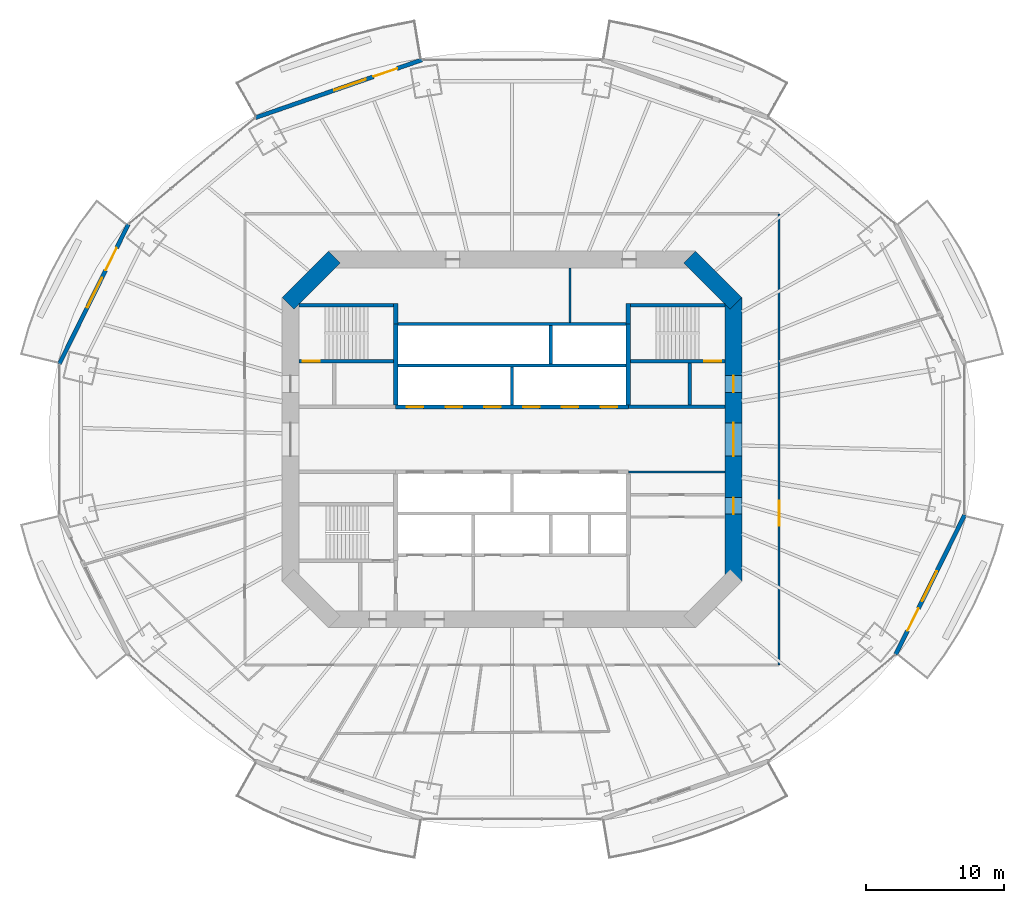
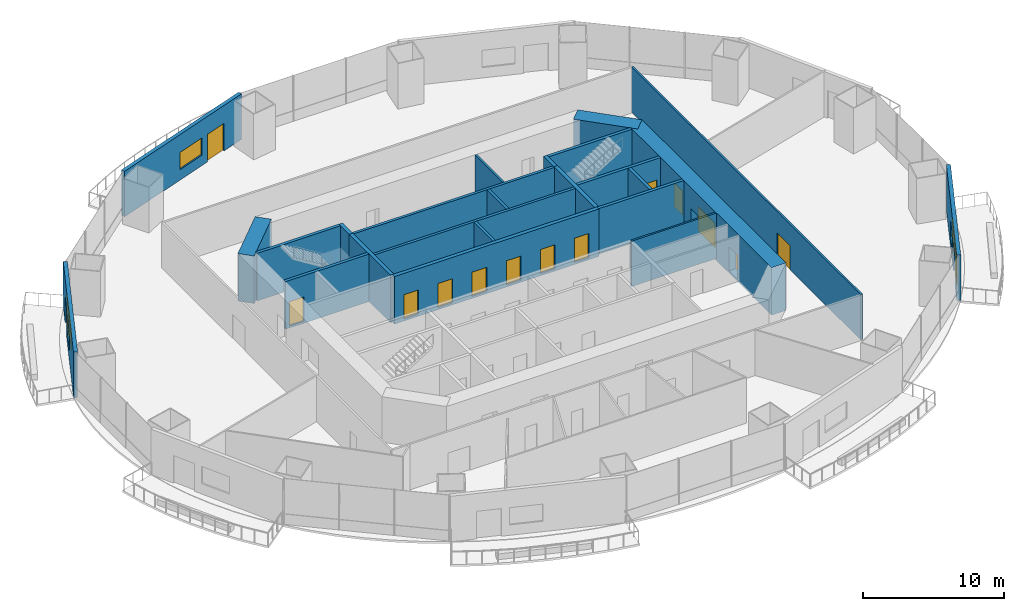
# One storey, part 14 of 18: 24 walls, 15 doors, 3 windows, 18 openings.
"""IFC4 building model written with IfcOpenShell, lengths in metres."""

from ifc_helpers import new_model, si_unit, direction, frame, frame_2d, origin, place, context, subcontext, project, spatial, rectangle, extrude, material, layer, layer_set, type_object, element, fill, save


model = new_model("IFC4")

# Units and contexts
model_context = context("Model", 3, precision=1e-05, world=origin(), true_north=direction((0.0, 1.0)))
body_context = subcontext(model_context, "Body", "Model", "MODEL_VIEW")
ifc_project = project(units=[si_unit("LENGTHUNIT", "METRE"), si_unit("AREAUNIT", "SQUARE_METRE"), si_unit("VOLUMEUNIT", "CUBIC_METRE"), si_unit("PLANEANGLEUNIT", "RADIAN"), si_unit("MASSUNIT", "GRAM", prefix="KILO")], contexts=[model_context])

# Site, building, storey
site_placement = place(None, origin())
site = spatial("IfcSite", under=ifc_project, at=site_placement, CompositionType="ELEMENT")
building_placement = place(site_placement, origin())
building = spatial("IfcBuilding", under=site, at=building_placement, Name="Marenthal Gate Tower", CompositionType="ELEMENT")
storey_placement = place(building_placement, frame((0.0, 0.0, 140.89990234375)))
storey = spatial("IfcBuildingStorey", under=building, at=storey_placement, Name="L30", CompositionType="ELEMENT", Elevation=140.89990234375)

# Wall, openings, doors
ifc_material_1 = material(Name="Concrete 60 MPa", Category="concrete")
ifc_layer_1 = layer(ifc_material_1, 1.199951171875)
ifc_layer_set_1 = layer_set([ifc_layer_1], Name="Core shear wall 1200")
wall_type_1 = type_object("IfcWallType", Name="Core shear wall 1200", PredefinedType="SHEAR", material=ifc_layer_set_1)
wall_1_placement = place(storey_placement, frame((16.0, -10.24853515625, -0.179931640625), z_axis=(0.0, 0.0, 1.0), x_axis=(0.0, 1.0, 0.0)))
wall_1 = element("IfcWall", 1, at=wall_1_placement, inside=storey, type_object=wall_type_1, Name="Core wall 02", PredefinedType="SHEAR", context=body_context, shape_type="SweptSolid", body=[
    extrude(rectangle(XDim=20.4970703125, YDim=1.199951171875, at=frame_2d((10.24853515625, 0.0))), origin(), (0.0, 0.0, 1.0), 4.130126953125),
])
opening_1_placement = place(wall_1_placement, frame((9.048583984375, 0.0, 0.179931640625)))
opening_1 = element("IfcOpeningElement", 2, at=opening_1_placement, cuts=wall_1, Name="Opening D003.02", PredefinedType="OPENING", context=body_context, shape_type="SweptSolid", body=[
    extrude(rectangle(XDim=2.39990234375, YDim=2.10009765625, at=frame_2d((1.199951171875, 1.050048828125))), frame((0.0, 0.60986328125, 0.0), z_axis=(0.0, -1.0, 0.0), x_axis=(1.0, 0.0, 0.0)), (0.0, 0.0, 1.0), 1.219970703125),
])
opening_2_placement = place(wall_1_placement, frame((13.6484375, 0.0, 0.179931640625)))
opening_2 = element("IfcOpeningElement", 3, at=opening_2_placement, cuts=wall_1, Name="Opening D001.05", PredefinedType="OPENING", context=body_context, shape_type="SweptSolid", body=[
    extrude(rectangle(XDim=1.199951171875, YDim=2.10009765625, at=frame_2d((0.60009765625, 1.050048828125))), frame((0.0, 0.60986328125, 0.0), z_axis=(0.0, -1.0, 0.0), x_axis=(1.0, 0.0, 0.0)), (0.0, 0.0, 1.0), 1.219970703125),
])
opening_3_placement = place(wall_1_placement, frame((4.848388671875, 0.0, 0.179931640625)))
opening_3 = element("IfcOpeningElement", 4, at=opening_3_placement, cuts=wall_1, Name="Opening D006.01", PredefinedType="OPENING", context=body_context, shape_type="SweptSolid", body=[
    extrude(rectangle(XDim=1.199951171875, YDim=2.10009765625, at=frame_2d((0.60009765625, 1.050048828125))), frame((0.0, 0.60986328125, 0.0), z_axis=(0.0, -1.0, 0.0), x_axis=(1.0, 0.0, 0.0)), (0.0, 0.0, 1.0), 1.219970703125),
])
ifc_material_2 = material(Name="Steel fire door", Category="steel")
door_type_1 = type_object("IfcDoorType", Name="Double fire door FD 45 2400 x 2100", OperationType="DOUBLE_DOOR_SINGLE_SWING", PredefinedType="DOOR", material=ifc_material_2)
door_1_placement = place(opening_1_placement, origin())
door_1 = element("IfcDoor", 5, at=door_1_placement, inside=storey, type_object=door_type_1, Name="Door D003.02", OperationType="DOUBLE_DOOR_SINGLE_SWING", OverallHeight=2.10009765625, OverallWidth=2.39990234375, PredefinedType="DOOR", context=body_context, shape_type="SweptSolid", body=[
    extrude(rectangle(XDim=2.39990234375, YDim=2.10009765625, at=frame_2d((1.199951171875, 1.050048828125))), frame((0.0, 0.02490234375, 0.0), z_axis=(0.0, -1.0, 0.0), x_axis=(1.0, 0.0, 0.0)), (0.0, 0.0, 1.0), 0.050048828125),
])
fill(opening_1, door_1)
ifc_material_3 = material(Name="Steel fire door", Category="steel")
door_type_2 = type_object("IfcDoorType", Name="Fire door FD 45 1200 x 2100", OperationType="NOTDEFINED", PredefinedType="DOOR", material=ifc_material_3)
door_2_placement = place(opening_3_placement, origin())
door_2 = element("IfcDoor", 6, at=door_2_placement, inside=storey, type_object=door_type_2, Name="Door D006.01", OperationType="SINGLE_SWING_RIGHT", OverallHeight=2.10009765625, OverallWidth=1.199951171875, PredefinedType="DOOR", context=body_context, shape_type="SweptSolid", body=[
    extrude(rectangle(XDim=1.199951171875, YDim=2.10009765625, at=frame_2d((0.60009765625, 1.050048828125))), frame((0.0, 0.02490234375, 0.0), z_axis=(0.0, -1.0, 0.0), x_axis=(1.0, 0.0, 0.0)), (0.0, 0.0, 1.0), 0.050048828125),
])
fill(opening_3, door_2)
ifc_material_4 = material(Name="Steel fire door", Category="steel")
door_type_3 = type_object("IfcDoorType", Name="Fire door FD 90 1200 x 2100", OperationType="NOTDEFINED", PredefinedType="DOOR", material=ifc_material_4)
door_3_placement = place(opening_2_placement, origin())
door_3 = element("IfcDoor", 7, at=door_3_placement, inside=storey, type_object=door_type_3, Name="Door D001.05", OperationType="SINGLE_SWING_RIGHT", OverallHeight=2.10009765625, OverallWidth=1.199951171875, PredefinedType="DOOR", context=body_context, shape_type="SweptSolid", body=[
    extrude(rectangle(XDim=1.199951171875, YDim=2.10009765625, at=frame_2d((0.60009765625, 1.050048828125))), frame((0.0, 0.02490234375, 0.0), z_axis=(0.0, -1.0, 0.0), x_axis=(1.0, 0.0, 0.0)), (0.0, 0.0, 1.0), 0.050048828125),
])
fill(opening_2, door_3)

# Walls
for number, where, z_axis, x_axis, name in (
    (8, (16.17578125, 9.82421875, -0.179931640625), (0.0, 0.0, 1.0), (-0.707106781187, 0.707106781187, 0.0), "Core wall 03"),
    (9, (-12.82421875, 13.17578125, -0.179931640625), (0.0, 0.0, 1.0), (-0.707106781187, -0.707106781187, 0.0), "Core wall 05"),
):
    element("IfcWall", number, at=place(storey_placement, frame(where, z_axis=z_axis, x_axis=x_axis)), inside=storey, type_object=wall_type_1, Name=name, PredefinedType="SHEAR", context=body_context, shape_type="SweptSolid", body=[
        extrude(rectangle(XDim=4.73974609375, YDim=1.199951171875, at=frame_2d((2.369873046875, 0.0))), origin(), (0.0, 0.0, 1.0), 4.130126953125),
    ])

# Wall, openings, doors
ifc_material_5 = material(Name="Concrete 50 MPa", Category="concrete")
ifc_layer_2 = layer(ifc_material_5, 0.300048828125)
ifc_layer_set_2 = layer_set([ifc_layer_2], Name="Hoistway shear wall 300")
wall_type_2 = type_object("IfcWallType", Name="Hoistway shear wall 300", PredefinedType="SHEAR", material=ifc_layer_set_2)
wall_2_placement = place(storey_placement, frame((-8.39990234375, 2.35009765625, -0.179931640625), z_axis=(0.0, 0.0, 1.0), x_axis=(1.0, 0.0, 0.0)))
wall_2 = element("IfcWall", 10, at=wall_2_placement, inside=storey, type_object=wall_type_2, Name="Hoistway wall 20", PredefinedType="SHEAR", context=body_context, shape_type="SweptSolid", body=[
    extrude(rectangle(XDim=16.7998046875, YDim=0.300048828125, at=frame_2d((8.39990234375, 0.0))), origin(), (0.0, 0.0, 1.0), 4.130126953125),
])
opening_4_placement = place(wall_2_placement, frame((0.800048828125, 0.0, 0.179931640625)))
opening_4 = element("IfcOpeningElement", 11, at=opening_4_placement, cuts=wall_2, Name="Opening LD-LP1", PredefinedType="OPENING", context=body_context, shape_type="SweptSolid", body=[
    extrude(rectangle(XDim=1.199951171875, YDim=2.10009765625, at=frame_2d((0.60009765625, 1.050048828125))), frame((0.0, 0.16015625, 0.0), z_axis=(0.0, -1.0, 0.0), x_axis=(1.0, 0.0, 0.0)), (0.0, 0.0, 1.0), 0.320068359375),
])
opening_5_placement = place(wall_2_placement, frame((3.60009765625, 0.0, 0.179931640625)))
opening_5 = element("IfcOpeningElement", 12, at=opening_5_placement, cuts=wall_2, Name="Opening LD-LP2", PredefinedType="OPENING", context=body_context, shape_type="SweptSolid", body=[
    extrude(rectangle(XDim=1.199951171875, YDim=2.10009765625, at=frame_2d((0.60009765625, 1.050048828125))), frame((0.0, 0.16015625, 0.0), z_axis=(0.0, -1.0, 0.0), x_axis=(1.0, 0.0, 0.0)), (0.0, 0.0, 1.0), 0.320068359375),
])
opening_6_placement = place(wall_2_placement, frame((6.39990234375, 0.0, 0.179931640625)))
opening_6 = element("IfcOpeningElement", 13, at=opening_6_placement, cuts=wall_2, Name="Opening LD-LP3", PredefinedType="OPENING", context=body_context, shape_type="SweptSolid", body=[
    extrude(rectangle(XDim=1.199951171875, YDim=2.10009765625, at=frame_2d((0.60009765625, 1.050048828125))), frame((0.0, 0.16015625, 0.0), z_axis=(0.0, -1.0, 0.0), x_axis=(1.0, 0.0, 0.0)), (0.0, 0.0, 1.0), 0.320068359375),
])
opening_7_placement = place(wall_2_placement, frame((9.199951171875, 0.0, 0.179931640625)))
opening_7 = element("IfcOpeningElement", 14, at=opening_7_placement, cuts=wall_2, Name="Opening LD-LP4", PredefinedType="OPENING", context=body_context, shape_type="SweptSolid", body=[
    extrude(rectangle(XDim=1.199951171875, YDim=2.10009765625, at=frame_2d((0.60009765625, 1.050048828125))), frame((0.0, 0.16015625, 0.0), z_axis=(0.0, -1.0, 0.0), x_axis=(1.0, 0.0, 0.0)), (0.0, 0.0, 1.0), 0.320068359375),
])
opening_8_placement = place(wall_2_placement, frame((12.0, 0.0, 0.179931640625)))
opening_8 = element("IfcOpeningElement", 15, at=opening_8_placement, cuts=wall_2, Name="Opening LD-LP5", PredefinedType="OPENING", context=body_context, shape_type="SweptSolid", body=[
    extrude(rectangle(XDim=1.199951171875, YDim=2.10009765625, at=frame_2d((0.60009765625, 1.050048828125))), frame((0.0, 0.16015625, 0.0), z_axis=(0.0, -1.0, 0.0), x_axis=(1.0, 0.0, 0.0)), (0.0, 0.0, 1.0), 0.320068359375),
])
opening_9_placement = place(wall_2_placement, frame((14.800048828125, 0.0, 0.179931640625)))
opening_9 = element("IfcOpeningElement", 16, at=opening_9_placement, cuts=wall_2, Name="Opening LD-LP6", PredefinedType="OPENING", context=body_context, shape_type="SweptSolid", body=[
    extrude(rectangle(XDim=1.199951171875, YDim=2.10009765625, at=frame_2d((0.60009765625, 1.050048828125))), frame((0.0, 0.16015625, 0.0), z_axis=(0.0, -1.0, 0.0), x_axis=(1.0, 0.0, 0.0)), (0.0, 0.0, 1.0), 0.320068359375),
])
ifc_material_6 = material(Name="Stainless steel sliding door", Category="steel")
door_type_4 = type_object("IfcDoorType", Name="Lift landing door FD 90 1200 x 2100", OperationType="DOUBLE_DOOR_SLIDING", PredefinedType="DOOR", material=ifc_material_6)
door_4_placement = place(opening_4_placement, origin())
door_4 = element("IfcDoor", 17, at=door_4_placement, inside=storey, type_object=door_type_4, Name="Lift landing door LP1", OperationType="DOUBLE_DOOR_SLIDING", OverallHeight=2.10009765625, OverallWidth=1.199951171875, PredefinedType="DOOR", context=body_context, shape_type="SweptSolid", body=[
    extrude(rectangle(XDim=1.199951171875, YDim=2.10009765625, at=frame_2d((0.60009765625, 1.050048828125))), frame((0.0, 0.02490234375, 0.0), z_axis=(0.0, -1.0, 0.0), x_axis=(1.0, 0.0, 0.0)), (0.0, 0.0, 1.0), 0.050048828125),
])
fill(opening_4, door_4)
door_5_placement = place(opening_5_placement, origin())
door_5 = element("IfcDoor", 18, at=door_5_placement, inside=storey, type_object=door_type_4, Name="Lift landing door LP2", OperationType="DOUBLE_DOOR_SLIDING", OverallHeight=2.10009765625, OverallWidth=1.199951171875, PredefinedType="DOOR", context=body_context, shape_type="SweptSolid", body=[
    extrude(rectangle(XDim=1.199951171875, YDim=2.10009765625, at=frame_2d((0.60009765625, 1.050048828125))), frame((0.0, 0.02490234375, 0.0), z_axis=(0.0, -1.0, 0.0), x_axis=(1.0, 0.0, 0.0)), (0.0, 0.0, 1.0), 0.050048828125),
])
fill(opening_5, door_5)
door_6_placement = place(opening_6_placement, origin())
door_6 = element("IfcDoor", 19, at=door_6_placement, inside=storey, type_object=door_type_4, Name="Lift landing door LP3", OperationType="DOUBLE_DOOR_SLIDING", OverallHeight=2.10009765625, OverallWidth=1.199951171875, PredefinedType="DOOR", context=body_context, shape_type="SweptSolid", body=[
    extrude(rectangle(XDim=1.199951171875, YDim=2.10009765625, at=frame_2d((0.60009765625, 1.050048828125))), frame((0.0, 0.02490234375, 0.0), z_axis=(0.0, -1.0, 0.0), x_axis=(1.0, 0.0, 0.0)), (0.0, 0.0, 1.0), 0.050048828125),
])
fill(opening_6, door_6)
door_7_placement = place(opening_7_placement, origin())
door_7 = element("IfcDoor", 20, at=door_7_placement, inside=storey, type_object=door_type_4, Name="Lift landing door LP4", OperationType="DOUBLE_DOOR_SLIDING", OverallHeight=2.10009765625, OverallWidth=1.199951171875, PredefinedType="DOOR", context=body_context, shape_type="SweptSolid", body=[
    extrude(rectangle(XDim=1.199951171875, YDim=2.10009765625, at=frame_2d((0.60009765625, 1.050048828125))), frame((0.0, 0.02490234375, 0.0), z_axis=(0.0, -1.0, 0.0), x_axis=(1.0, 0.0, 0.0)), (0.0, 0.0, 1.0), 0.050048828125),
])
fill(opening_7, door_7)
door_8_placement = place(opening_8_placement, origin())
door_8 = element("IfcDoor", 21, at=door_8_placement, inside=storey, type_object=door_type_4, Name="Lift landing door LP5", OperationType="DOUBLE_DOOR_SLIDING", OverallHeight=2.10009765625, OverallWidth=1.199951171875, PredefinedType="DOOR", context=body_context, shape_type="SweptSolid", body=[
    extrude(rectangle(XDim=1.199951171875, YDim=2.10009765625, at=frame_2d((0.60009765625, 1.050048828125))), frame((0.0, 0.02490234375, 0.0), z_axis=(0.0, -1.0, 0.0), x_axis=(1.0, 0.0, 0.0)), (0.0, 0.0, 1.0), 0.050048828125),
])
fill(opening_8, door_8)
door_9_placement = place(opening_9_placement, origin())
door_9 = element("IfcDoor", 22, at=door_9_placement, inside=storey, type_object=door_type_4, Name="Lift landing door LP6", OperationType="DOUBLE_DOOR_SLIDING", OverallHeight=2.10009765625, OverallWidth=1.199951171875, PredefinedType="DOOR", context=body_context, shape_type="SweptSolid", body=[
    extrude(rectangle(XDim=1.199951171875, YDim=2.10009765625, at=frame_2d((0.60009765625, 1.050048828125))), frame((0.0, 0.02490234375, 0.0), z_axis=(0.0, -1.0, 0.0), x_axis=(1.0, 0.0, 0.0)), (0.0, 0.0, 1.0), 0.050048828125),
])
fill(opening_9, door_9)

# Walls
for number, where, z_axis, x_axis, name in (
    (23, (-8.39990234375, 2.5, -0.179931640625), (0.0, 0.0, 1.0), (0.0, 1.0, 0.0), "Hoistway wall 32"),
    (24, (8.39990234375, 2.5, -0.179931640625), (0.0, 0.0, 1.0), (0.0, 1.0, 0.0), "Hoistway wall 44"),
):
    element("IfcWall", number, at=place(storey_placement, frame(where, z_axis=z_axis, x_axis=x_axis)), inside=storey, type_object=wall_type_2, Name=name, PredefinedType="SHEAR", context=body_context, shape_type="SweptSolid", body=[
        extrude(rectangle(XDim=5.85009765625, YDim=0.300048828125, at=frame_2d((2.925048828125, 0.0))), origin(), (0.0, 0.0, 1.0), 4.130126953125),
    ])
ifc_material_7 = material(Name="Concrete 40 MPa", Category="concrete")
ifc_layer_3 = layer(ifc_material_7, 0.219970703125)
ifc_layer_set_3 = layer_set([ifc_layer_3], Name="Hoistway wall 220")
wall_type_3 = type_object("IfcWallType", Name="Hoistway wall 220", PredefinedType="STANDARD", material=ifc_layer_set_3)
for number, where, z_axis, x_axis, name in (
    (25, (-8.25, 5.35009765625, 0.0), (0.0, 0.0, 1.0), (1.0, 0.0, 0.0), "Hoistway wall 22"),
    (26, (-8.25, 8.35009765625, 0.0), (0.0, 0.0, 1.0), (1.0, 0.0, 0.0), "Hoistway wall 25"),
):
    element("IfcWall", number, at=place(storey_placement, frame(where, z_axis=z_axis, x_axis=x_axis)), inside=storey, type_object=wall_type_3, Name=name, PredefinedType="STANDARD", context=body_context, shape_type="SweptSolid", body=[
        extrude(rectangle(XDim=16.5, YDim=0.219970703125, at=frame_2d((8.25, 0.0))), origin(), (0.0, 0.0, 1.0), 3.9501953125),
    ])
wall_3_placement = place(storey_placement, frame((0.0, 2.5, 0.0), z_axis=(0.0, 0.0, 1.0), x_axis=(0.0, 1.0, 0.0)))
element("IfcWall", 27, at=wall_3_placement, inside=storey, type_object=wall_type_3, Name="Hoistway wall 37", PredefinedType="STANDARD", context=body_context, shape_type="SweptSolid", body=[
    extrude(rectangle(XDim=2.739990234375, YDim=0.219970703125, at=frame_2d((1.3701171875, 0.0))), origin(), (0.0, 0.0, 1.0), 3.9501953125),
])
wall_4_placement = place(storey_placement, frame((2.800048828125, 5.4599609375, 0.0), z_axis=(0.0, 0.0, 1.0), x_axis=(0.0, 1.0, 0.0)))
element("IfcWall", 28, at=wall_4_placement, inside=storey, type_object=wall_type_3, Name="Hoistway wall 39", PredefinedType="STANDARD", context=body_context, shape_type="SweptSolid", body=[
    extrude(rectangle(XDim=2.780029296875, YDim=0.219970703125, at=frame_2d((1.39013671875, 0.0))), origin(), (0.0, 0.0, 1.0), 3.9501953125),
])
ifc_material_8 = material(Name="Gypsum board on steel studs", Category="steel")
ifc_layer_4 = layer(ifc_material_8, 0.14990234375)
ifc_layer_set_4 = layer_set([ifc_layer_4], Name="Partition 150")
wall_type_4 = type_object("IfcWallType", Name="Partition 150", PredefinedType="PARTITIONING", material=ifc_layer_set_4)
wall_5_placement = place(storey_placement, frame((8.39990234375, -2.35009765625, 0.0), z_axis=(0.0, 0.0, 1.0), x_axis=(1.0, 0.0, 0.0)))
element("IfcWall", 29, at=wall_5_placement, inside=storey, type_object=wall_type_4, Name="Partition wall 18", PredefinedType="PARTITIONING", context=body_context, shape_type="SweptSolid", body=[
    extrude(rectangle(XDim=7.0, YDim=0.14990234375, at=frame_2d((3.5, 0.0))), origin(), (0.0, 0.0, 1.0), 3.9501953125),
])
wall_6_placement = place(storey_placement, frame((4.199951171875, 8.4599609375, 0.0), z_axis=(0.0, 0.0, 1.0), x_axis=(0.0, 1.0, 0.0)))
element("IfcWall", 30, at=wall_6_placement, inside=storey, type_object=wall_type_4, Name="Partition wall 40", PredefinedType="PARTITIONING", context=body_context, shape_type="SweptSolid", body=[
    extrude(rectangle(XDim=3.93994140625, YDim=0.14990234375, at=frame_2d((1.969970703125, 0.0))), origin(), (0.0, 0.0, 1.0), 3.9501953125),
])

# Wall, opening, door
wall_7_placement = place(storey_placement, frame((19.300048828125, 16.300048828125, 0.0), z_axis=(0.0, 0.0, 1.0), x_axis=(0.0, -1.0, 0.0)))
wall_7 = element("IfcWall", 31, at=wall_7_placement, inside=storey, type_object=wall_type_4, Name="Partition wall 61", PredefinedType="PARTITIONING", context=body_context, shape_type="SweptSolid", body=[
    extrude(rectangle(XDim=32.60009765625, YDim=0.14990234375, at=frame_2d((16.300048828125, 0.0))), origin(), (0.0, 0.0, 1.0), 3.9501953125),
])
opening_10_placement = place(wall_7_placement, frame((20.72998046875, 0.0, 0.0)))
opening_10 = element("IfcOpeningElement", 32, at=opening_10_placement, cuts=wall_7, Name="Opening D014.03", PredefinedType="OPENING", context=body_context, shape_type="SweptSolid", body=[
    extrude(rectangle(XDim=1.800048828125, YDim=2.10009765625, at=frame_2d((0.89990234375, 1.050048828125))), frame((0.0, 0.0849609375, 0.0), z_axis=(0.0, -1.0, 0.0), x_axis=(1.0, 0.0, 0.0)), (0.0, 0.0, 1.0), 0.169921875),
])
ifc_material_9 = material(Name="Timber door", Category="wood")
door_type_5 = type_object("IfcDoorType", Name="Double door 1800 x 2100", OperationType="DOUBLE_DOOR_SINGLE_SWING", PredefinedType="DOOR", material=ifc_material_9)
door_10_placement = place(opening_10_placement, origin())
door_10 = element("IfcDoor", 33, at=door_10_placement, inside=storey, type_object=door_type_5, Name="Door D014.03", OperationType="DOUBLE_DOOR_SINGLE_SWING", OverallHeight=2.10009765625, OverallWidth=1.800048828125, PredefinedType="DOOR", context=body_context, shape_type="SweptSolid", body=[
    extrude(rectangle(XDim=1.800048828125, YDim=2.10009765625, at=frame_2d((0.89990234375, 1.050048828125))), frame((0.0, 0.02490234375, 0.0), z_axis=(0.0, -1.0, 0.0), x_axis=(1.0, 0.0, 0.0)), (0.0, 0.0, 1.0), 0.050048828125),
])
fill(opening_10, door_10)

# Walls
ifc_material_10 = material(Name="Concrete 40 MPa", Category="concrete")
ifc_layer_5 = layer(ifc_material_10, 0.25)
ifc_layer_set_5 = layer_set([ifc_layer_5], Name="Stair enclosure wall 250")
wall_type_5 = type_object("IfcWallType", Name="Stair enclosure wall 250", PredefinedType="STANDARD", material=ifc_layer_set_5)
wall_8_placement = place(storey_placement, frame((8.39990234375, 2.35009765625, 0.0), z_axis=(0.0, 0.0, 1.0), x_axis=(1.0, 0.0, 0.0)))
element("IfcWall", 34, at=wall_8_placement, inside=storey, type_object=wall_type_5, Name="Stair wall 21", PredefinedType="STANDARD", context=body_context, shape_type="SweptSolid", body=[
    extrude(rectangle(XDim=7.0, YDim=0.25, at=frame_2d((3.5, 0.0))), origin(), (0.0, 0.0, 1.0), 3.9501953125),
])
wall_9_placement = place(storey_placement, frame((12.85009765625, 2.47509765625, 0.0), z_axis=(0.0, 0.0, 1.0), x_axis=(0.0, 1.0, 0.0)))
element("IfcWall", 35, at=wall_9_placement, inside=storey, type_object=wall_type_5, Name="Stair wall 46", PredefinedType="STANDARD", context=body_context, shape_type="SweptSolid", body=[
    extrude(rectangle(XDim=3.0498046875, YDim=0.25, at=frame_2d((1.52490234375, 0.0))), origin(), (0.0, 0.0, 1.0), 3.9501953125),
])

# Wall, opening, door
ifc_material_11 = material(Name="Concrete 50 MPa", Category="concrete")
ifc_layer_6 = layer(ifc_material_11, 0.25)
ifc_layer_set_6 = layer_set([ifc_layer_6], Name="Stair shear wall 250")
wall_type_6 = type_object("IfcWallType", Name="Stair shear wall 250", PredefinedType="SHEAR", material=ifc_layer_set_6)
wall_10_placement = place(storey_placement, frame((-15.39990234375, 5.64990234375, -0.179931640625), z_axis=(0.0, 0.0, 1.0), x_axis=(1.0, 0.0, 0.0)))
wall_10 = element("IfcWall", 36, at=wall_10_placement, inside=storey, type_object=wall_type_6, Name="Stair wall 23", PredefinedType="SHEAR", context=body_context, shape_type="SweptSolid", body=[
    extrude(rectangle(XDim=6.849853515625, YDim=0.25, at=frame_2d((3.4248046875, 0.0))), origin(), (0.0, 0.0, 1.0), 4.130126953125),
])
opening_11_placement = place(wall_10_placement, frame((0.300048828125, 0.0, 0.179931640625)))
opening_11 = element("IfcOpeningElement", 37, at=opening_11_placement, cuts=wall_10, Name="Opening D001.01", PredefinedType="OPENING", context=body_context, shape_type="SweptSolid", body=[
    extrude(rectangle(XDim=1.199951171875, YDim=2.10009765625, at=frame_2d((0.60009765625, 1.050048828125))), frame((0.0, 0.135009765625, 0.0), z_axis=(0.0, -1.0, 0.0), x_axis=(1.0, 0.0, 0.0)), (0.0, 0.0, 1.0), 0.27001953125),
])
door_11_placement = place(opening_11_placement, origin())
door_11 = element("IfcDoor", 38, at=door_11_placement, inside=storey, type_object=door_type_3, Name="Door D001.01", OperationType="SINGLE_SWING_RIGHT", OverallHeight=2.10009765625, OverallWidth=1.199951171875, PredefinedType="DOOR", context=body_context, shape_type="SweptSolid", body=[
    extrude(rectangle(XDim=1.199951171875, YDim=2.10009765625, at=frame_2d((0.60009765625, 1.050048828125))), frame((0.0, 0.02490234375, 0.0), z_axis=(0.0, -1.0, 0.0), x_axis=(1.0, 0.0, 0.0)), (0.0, 0.0, 1.0), 0.050048828125),
])
fill(opening_11, door_11)

wall_11_placement = place(storey_placement, frame((8.550048828125, 5.64990234375, -0.179931640625), z_axis=(0.0, 0.0, 1.0), x_axis=(1.0, 0.0, 0.0)))
wall_11 = element("IfcWall", 39, at=wall_11_placement, inside=storey, type_object=wall_type_6, Name="Stair wall 24", PredefinedType="SHEAR", context=body_context, shape_type="SweptSolid", body=[
    extrude(rectangle(XDim=6.849853515625, YDim=0.25, at=frame_2d((3.4248046875, 0.0))), origin(), (0.0, 0.0, 1.0), 4.130126953125),
])
opening_12_placement = place(wall_11_placement, frame((5.35009765625, 0.0, 0.179931640625)))
opening_12 = element("IfcOpeningElement", 40, at=opening_12_placement, cuts=wall_11, Name="Opening D001.02", PredefinedType="OPENING", context=body_context, shape_type="SweptSolid", body=[
    extrude(rectangle(XDim=1.199951171875, YDim=2.10009765625, at=frame_2d((0.60009765625, 1.050048828125))), frame((0.0, 0.135009765625, 0.0), z_axis=(0.0, -1.0, 0.0), x_axis=(1.0, 0.0, 0.0)), (0.0, 0.0, 1.0), 0.27001953125),
])
door_12_placement = place(opening_12_placement, origin())
door_12 = element("IfcDoor", 41, at=door_12_placement, inside=storey, type_object=door_type_3, Name="Door D001.02", OperationType="SINGLE_SWING_RIGHT", OverallHeight=2.10009765625, OverallWidth=1.199951171875, PredefinedType="DOOR", context=body_context, shape_type="SweptSolid", body=[
    extrude(rectangle(XDim=1.199951171875, YDim=2.10009765625, at=frame_2d((0.60009765625, 1.050048828125))), frame((0.0, 0.02490234375, 0.0), z_axis=(0.0, -1.0, 0.0), x_axis=(1.0, 0.0, 0.0)), (0.0, 0.0, 1.0), 0.050048828125),
])
fill(opening_12, door_12)

# Walls
for number, where, z_axis, x_axis, name in (
    (42, (-15.39990234375, 9.699951171875, -0.179931640625), (0.0, 0.0, 1.0), (1.0, 0.0, 0.0), "Stair wall 26"),
    (43, (8.550048828125, 9.699951171875, -0.179931640625), (0.0, 0.0, 1.0), (1.0, 0.0, 0.0), "Stair wall 27"),
):
    element("IfcWall", number, at=place(storey_placement, frame(where, z_axis=z_axis, x_axis=x_axis)), inside=storey, type_object=wall_type_6, Name=name, PredefinedType="SHEAR", context=body_context, shape_type="SweptSolid", body=[
        extrude(rectangle(XDim=6.849853515625, YDim=0.25, at=frame_2d((3.4248046875, 0.0))), origin(), (0.0, 0.0, 1.0), 4.130126953125),
    ])
ifc_material_12 = material(Name="Concrete 50 MPa", Category="concrete")
ifc_layer_7 = layer(ifc_material_12, 0.300048828125)
ifc_layer_set_7 = layer_set([ifc_layer_7], Name="Stair shear wall 300")
wall_type_7 = type_object("IfcWallType", Name="Stair shear wall 300", PredefinedType="SHEAR", material=ifc_layer_set_7)
for number, where, z_axis, x_axis, name in (
    (44, (-8.39990234375, 8.35009765625, -0.179931640625), (0.0, 0.0, 1.0), (0.0, 1.0, 0.0), "Stair wall 33"),
    (45, (8.39990234375, 8.35009765625, -0.179931640625), (0.0, 0.0, 1.0), (0.0, 1.0, 0.0), "Stair wall 45"),
):
    element("IfcWall", number, at=place(storey_placement, frame(where, z_axis=z_axis, x_axis=x_axis)), inside=storey, type_object=wall_type_7, Name=name, PredefinedType="SHEAR", context=body_context, shape_type="SweptSolid", body=[
        extrude(rectangle(XDim=1.474853515625, YDim=0.300048828125, at=frame_2d((0.7373046875, 0.0))), origin(), (0.0, 0.0, 1.0), 4.130126953125),
    ])

# Wall, openings, door, window
ifc_material_13 = material(Name="Terracotta cladding on insulated concrete-block backing", Category="masonry")
ifc_layer_8 = layer(ifc_material_13, 0.300048828125)
ifc_layer_set_8 = layer_set([ifc_layer_8], Name="Terracotta facade wall 300")
wall_type_8 = type_object("IfcWallType", Name="Terracotta facade wall 300", PredefinedType="SOLIDWALL", material=ifc_layer_set_8)
wall_12_placement = place(storey_placement, frame((-6.504638671875, 27.419921875, 0.0), z_axis=(0.0, 0.0, 1.0), x_axis=(-0.944644510201, -0.32809564055, 0.0)))
wall_12 = element("IfcWall", 46, at=wall_12_placement, inside=storey, type_object=wall_type_8, Name="Terracotta facade wall L30 bay 5", PredefinedType="SOLIDWALL", context=body_context, shape_type="SweptSolid", body=[
    extrude(rectangle(XDim=12.7236328125, YDim=0.300048828125, at=frame_2d((6.36181640625, 0.0))), origin(), (0.0, 0.0, 1.0), 3.9501953125),
])
opening_13_placement = place(wall_12_placement, frame((1.89990234375, 0.0, 0.0)))
opening_13 = element("IfcOpeningElement", 47, at=opening_13_placement, cuts=wall_12, Name="Opening BD-L30-05", PredefinedType="OPENING", context=body_context, shape_type="SweptSolid", body=[
    extrude(rectangle(XDim=1.800048828125, YDim=2.39990234375, at=frame_2d((0.89990234375, 1.199951171875))), frame((0.0, 0.16015625, 0.0), z_axis=(0.0, -1.0, 0.0), x_axis=(1.0, 0.0, 0.0)), (0.0, 0.0, 1.0), 0.320068359375),
])
opening_14_placement = place(wall_12_placement, frame((4.300048828125, 0.0, 0.89990234375)))
opening_14 = element("IfcOpeningElement", 48, at=opening_14_placement, cuts=wall_12, Name="Opening WN1-L30-05", PredefinedType="OPENING", context=body_context, shape_type="SweptSolid", body=[
    extrude(rectangle(XDim=2.39990234375, YDim=1.5, at=frame_2d((1.199951171875, 0.75))), frame((0.0, 0.16015625, 0.0), z_axis=(0.0, -1.0, 0.0), x_axis=(1.0, 0.0, 0.0)), (0.0, 0.0, 1.0), 0.320068359375),
])
ifc_material_14 = material(Name="Aluminium and glass", Category="aluminium")
door_type_6 = type_object("IfcDoorType", Name="Balcony door 1800x2400", OperationType="DOUBLE_DOOR_SINGLE_SWING", PredefinedType="DOOR", material=ifc_material_14)
door_13_placement = place(opening_13_placement, origin())
door_13 = element("IfcDoor", 49, at=door_13_placement, inside=storey, type_object=door_type_6, Name="Balcony door L30 bay 5", OperationType="SINGLE_SWING_LEFT", OverallHeight=2.39990234375, OverallWidth=1.800048828125, PredefinedType="DOOR", context=body_context, shape_type="SweptSolid", body=[
    extrude(rectangle(XDim=1.800048828125, YDim=2.39990234375, at=frame_2d((0.89990234375, 1.199951171875))), frame((0.0, 0.02490234375, 0.0), z_axis=(0.0, -1.0, 0.0), x_axis=(1.0, 0.0, 0.0)), (0.0, 0.0, 1.0), 0.050048828125),
])
fill(opening_13, door_13)
ifc_material_15 = material(Name="Aluminium and glass", Category="aluminium")
window_type = type_object("IfcWindowType", Name="Window 2400x1500", PartitioningType="TRIPLE_PANEL_VERTICAL", PredefinedType="WINDOW", material=ifc_material_15)
window_1_placement = place(opening_14_placement, origin())
window_1 = element("IfcWindow", 50, at=window_1_placement, inside=storey, type_object=window_type, Name="Window L30 bay 5", OverallHeight=1.5, OverallWidth=2.39990234375, PartitioningType="SINGLE_PANEL", PredefinedType="WINDOW", context=body_context, shape_type="SweptSolid", body=[
    extrude(rectangle(XDim=2.39990234375, YDim=1.5, at=frame_2d((1.199951171875, 0.75))), frame((0.0, 0.030029296875, 0.0), z_axis=(0.0, -1.0, 0.0), x_axis=(1.0, 0.0, 0.0)), (0.0, 0.0, 1.0), 0.06005859375),
])
fill(opening_14, window_1)

wall_13_placement = place(storey_placement, frame((-27.722900390625, 15.531982421875, 0.0), z_axis=(0.0, 0.0, 1.0), x_axis=(-0.442907927452, -0.896567101672, 0.0)))
wall_13 = element("IfcWall", 51, at=wall_13_placement, inside=storey, type_object=wall_type_8, Name="Terracotta facade wall L30 bay 7", PredefinedType="SOLIDWALL", context=body_context, shape_type="SweptSolid", body=[
    extrude(rectangle(XDim=11.240478515625, YDim=0.300048828125, at=frame_2d((5.6201171875, 0.0))), origin(), (0.0, 0.0, 1.0), 3.9501953125),
])
opening_15_placement = place(wall_13_placement, frame((1.89990234375, 0.0, 0.0)))
opening_15 = element("IfcOpeningElement", 52, at=opening_15_placement, cuts=wall_13, Name="Opening BD-L30-07", PredefinedType="OPENING", context=body_context, shape_type="SweptSolid", body=[
    extrude(rectangle(XDim=1.800048828125, YDim=2.39990234375, at=frame_2d((0.89990234375, 1.199951171875))), frame((0.0, 0.16015625, 0.0), z_axis=(0.0, -1.0, 0.0), x_axis=(1.0, 0.0, 0.0)), (0.0, 0.0, 1.0), 0.320068359375),
])
opening_16_placement = place(wall_13_placement, frame((4.300048828125, 0.0, 0.89990234375)))
opening_16 = element("IfcOpeningElement", 53, at=opening_16_placement, cuts=wall_13, Name="Opening WN1-L30-07", PredefinedType="OPENING", context=body_context, shape_type="SweptSolid", body=[
    extrude(rectangle(XDim=2.39990234375, YDim=1.5, at=frame_2d((1.199951171875, 0.75))), frame((0.0, 0.16015625, 0.0), z_axis=(0.0, -1.0, 0.0), x_axis=(1.0, 0.0, 0.0)), (0.0, 0.0, 1.0), 0.320068359375),
])
door_14_placement = place(opening_15_placement, origin())
door_14 = element("IfcDoor", 54, at=door_14_placement, inside=storey, type_object=door_type_6, Name="Balcony door L30 bay 7", OperationType="SINGLE_SWING_LEFT", OverallHeight=2.39990234375, OverallWidth=1.800048828125, PredefinedType="DOOR", context=body_context, shape_type="SweptSolid", body=[
    extrude(rectangle(XDim=1.800048828125, YDim=2.39990234375, at=frame_2d((0.89990234375, 1.199951171875))), frame((0.0, 0.02490234375, 0.0), z_axis=(0.0, -1.0, 0.0), x_axis=(1.0, 0.0, 0.0)), (0.0, 0.0, 1.0), 0.050048828125),
])
fill(opening_15, door_14)
window_2_placement = place(opening_16_placement, origin())
window_2 = element("IfcWindow", 55, at=window_2_placement, inside=storey, type_object=window_type, Name="Window L30 bay 7", OverallHeight=1.5, OverallWidth=2.39990234375, PartitioningType="SINGLE_PANEL", PredefinedType="WINDOW", context=body_context, shape_type="SweptSolid", body=[
    extrude(rectangle(XDim=2.39990234375, YDim=1.5, at=frame_2d((1.199951171875, 0.75))), frame((0.0, 0.030029296875, 0.0), z_axis=(0.0, -1.0, 0.0), x_axis=(1.0, 0.0, 0.0)), (0.0, 0.0, 1.0), 0.06005859375),
])
fill(opening_16, window_2)

wall_14_placement = place(storey_placement, frame((27.722900390625, -15.531982421875, 0.0), z_axis=(0.0, 0.0, 1.0), x_axis=(0.442907927452, 0.896567101672, 0.0)))
wall_14 = element("IfcWall", 56, at=wall_14_placement, inside=storey, type_object=wall_type_8, Name="Terracotta facade wall L30 bay 15", PredefinedType="SOLIDWALL", context=body_context, shape_type="SweptSolid", body=[
    extrude(rectangle(XDim=11.240478515625, YDim=0.300048828125, at=frame_2d((5.6201171875, 0.0))), origin(), (0.0, 0.0, 1.0), 3.9501953125),
])
opening_17_placement = place(wall_14_placement, frame((1.89990234375, 0.0, 0.0)))
opening_17 = element("IfcOpeningElement", 57, at=opening_17_placement, cuts=wall_14, Name="Opening BD-L30-15", PredefinedType="OPENING", context=body_context, shape_type="SweptSolid", body=[
    extrude(rectangle(XDim=1.800048828125, YDim=2.39990234375, at=frame_2d((0.89990234375, 1.199951171875))), frame((0.0, 0.16015625, 0.0), z_axis=(0.0, -1.0, 0.0), x_axis=(1.0, 0.0, 0.0)), (0.0, 0.0, 1.0), 0.320068359375),
])
opening_18_placement = place(wall_14_placement, frame((4.300048828125, 0.0, 0.89990234375)))
opening_18 = element("IfcOpeningElement", 58, at=opening_18_placement, cuts=wall_14, Name="Opening WN1-L30-15", PredefinedType="OPENING", context=body_context, shape_type="SweptSolid", body=[
    extrude(rectangle(XDim=2.39990234375, YDim=1.5, at=frame_2d((1.199951171875, 0.75))), frame((0.0, 0.16015625, 0.0), z_axis=(0.0, -1.0, 0.0), x_axis=(1.0, 0.0, 0.0)), (0.0, 0.0, 1.0), 0.320068359375),
])
door_15_placement = place(opening_17_placement, origin())
door_15 = element("IfcDoor", 59, at=door_15_placement, inside=storey, type_object=door_type_6, Name="Balcony door L30 bay 15", OperationType="SINGLE_SWING_LEFT", OverallHeight=2.39990234375, OverallWidth=1.800048828125, PredefinedType="DOOR", context=body_context, shape_type="SweptSolid", body=[
    extrude(rectangle(XDim=1.800048828125, YDim=2.39990234375, at=frame_2d((0.89990234375, 1.199951171875))), frame((0.0, 0.02490234375, 0.0), z_axis=(0.0, -1.0, 0.0), x_axis=(1.0, 0.0, 0.0)), (0.0, 0.0, 1.0), 0.050048828125),
])
fill(opening_17, door_15)
window_3_placement = place(opening_18_placement, origin())
window_3 = element("IfcWindow", 60, at=window_3_placement, inside=storey, type_object=window_type, Name="Window L30 bay 15", OverallHeight=1.5, OverallWidth=2.39990234375, PartitioningType="SINGLE_PANEL", PredefinedType="WINDOW", context=body_context, shape_type="SweptSolid", body=[
    extrude(rectangle(XDim=2.39990234375, YDim=1.5, at=frame_2d((1.199951171875, 0.75))), frame((0.0, 0.030029296875, 0.0), z_axis=(0.0, -1.0, 0.0), x_axis=(1.0, 0.0, 0.0)), (0.0, 0.0, 1.0), 0.06005859375),
])
fill(opening_18, window_3)

save(model, "model.ifc")
